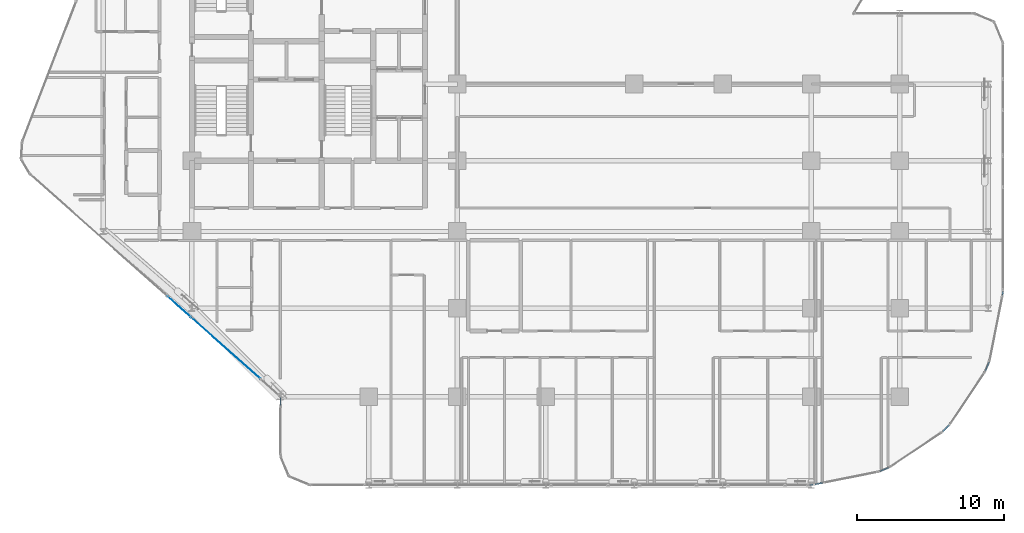
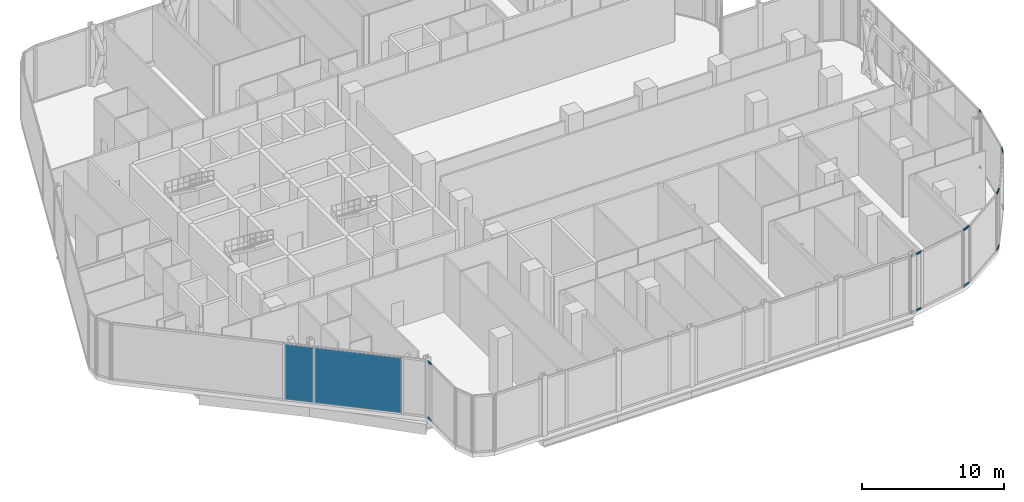
# One storey, part 21 of 36: 14 members, 2 plates, 9 elements without a shape of their own.
"""IFC4 building model written with IfcOpenShell, lengths in metres."""

import ifcopenshell
import ifcopenshell.guid

model = None  # the IFC model being written
_history = None  # IfcOwnerHistory: only IFC2X3 demands one
_inside = {}  # id of a spatial element -> (the spatial element, [elements in it])
_under = {}  # id of a project, library or spatial element -> (it, [spatial elements below it])
_declared = {}  # id of a project -> (the project, [libraries it declares])
_typed = {}  # id of a type object -> (the type object, [elements of that type])
_made_of = {}  # id of a material, layer set ... -> (it, [elements and type objects made of it])


def new_model(schema):
    """Start an empty IFC model of exactly this schema.

    Asked for "IFC4X3", IfcOpenShell would pick the latest addendum, in which some entities
    have other attributes; the version numbers below select the first issue.
    IFC2X3 requires an IfcOwnerHistory on every rooted entity: one is made here for all.
    """
    global model, _history
    if schema == "IFC4X3":
        model = ifcopenshell.file(schema_version=(4, 3, 0, 0))
    else:
        model = ifcopenshell.file(schema=schema)
    _inside.clear()
    _under.clear()
    _declared.clear()
    _typed.clear()
    _made_of.clear()
    _history = None
    if model.schema == "IFC2X3":
        org = make("IfcOrganization", Name="unknown")
        user = make(
            "IfcPersonAndOrganization",
            ThePerson=make("IfcPerson", FamilyName="unknown"),
            TheOrganization=org,
        )
        app = make(
            "IfcApplication",
            ApplicationDeveloper=org,
            Version="unknown",
            ApplicationFullName="unknown",
            ApplicationIdentifier="unknown",
        )
        _history = make(
            "IfcOwnerHistory",
            OwningUser=user,
            OwningApplication=app,
            ChangeAction="ADDED",
            CreationDate=0,
        )
    return model


def make(cls, **values):
    """One entity of the class cls with the attributes given. An attribute that is None is left unset."""
    return model.create_entity(
        cls, **{name: value for name, value in values.items() if value is not None}
    )


def rooted(cls, **values):
    """An entity with a GlobalId (a new one), such as an element, a storey or a relation."""
    return make(cls, GlobalId=ifcopenshell.guid.new(), OwnerHistory=_history, **values)


def si_unit(unit_type, name, prefix=None):
    """IfcSIUnit, for example si_unit("LENGTHUNIT", "METRE", prefix="MILLI")."""
    return make("IfcSIUnit", UnitType=unit_type, Prefix=prefix, Name=name)


def assignment(units):
    """IfcUnitAssignment: the units of a project."""
    return None if units is None else make("IfcUnitAssignment", Units=units)


def point(xyz):
    """IfcCartesianPoint."""
    return None if xyz is None else make("IfcCartesianPoint", Coordinates=xyz)


def direction(xyz):
    """IfcDirection."""
    return None if xyz is None else make("IfcDirection", DirectionRatios=xyz)


def frame(location, z_axis=None, x_axis=None):
    """IfcAxis2Placement3D, a coordinate frame: its origin and axes. An axis left out is left unset."""
    return make(
        "IfcAxis2Placement3D",
        Location=point(location),
        Axis=direction(z_axis),
        RefDirection=direction(x_axis),
    )


def frame_2d(location, x_axis=None):
    """IfcAxis2Placement2D, a coordinate frame in the plane: its origin and x axis."""
    return make(
        "IfcAxis2Placement2D", Location=point(location), RefDirection=direction(x_axis)
    )


def origin():
    """The frame at (0, 0, 0) with its axes left unset."""
    return frame((0.0, 0.0, 0.0))


def origin_2d():
    """The frame at (0, 0) in the plane with its x axis left unset."""
    return frame_2d((0.0, 0.0))


def place(relative_to, where):
    """IfcLocalPlacement: puts the frame where relative to a parent placement (None: the world)."""
    return make(
        "IfcLocalPlacement", PlacementRelTo=relative_to, RelativePlacement=where
    )


def context(
    kind, dimensions, precision=None, world=None, true_north=None, identifier=None
):
    """IfcGeometricRepresentationContext, for example the 3D "Model" context."""
    return make(
        "IfcGeometricRepresentationContext",
        ContextIdentifier=identifier,
        ContextType=kind,
        CoordinateSpaceDimension=dimensions,
        Precision=precision,
        WorldCoordinateSystem=world,
        TrueNorth=true_north,
    )


def subcontext(parent, identifier, kind, view, scale=None):
    """IfcGeometricRepresentationSubContext, for example "Body" below "Model"."""
    return make(
        "IfcGeometricRepresentationSubContext",
        ContextIdentifier=identifier,
        ContextType=kind,
        ParentContext=parent,
        TargetScale=scale,
        TargetView=view,
    )


def project(units=None, contexts=None):
    """IfcProject with its units and contexts."""
    return rooted(
        "IfcProject",
        Name="project",
        RepresentationContexts=contexts,
        UnitsInContext=assignment(units),
    )


def spatial(cls, under=None, at=None, **own):
    """A site, building, storey or space (cls), placed at a placement, below another one or the project."""
    s = rooted(cls, ObjectPlacement=at, **own)
    if under is not None:
        _under.setdefault(under.id(), (under, []))[1].append(s)
    return s


def profile(cls, at=None, kind="AREA", **sizes):
    """A parametric profile (cls). Its sizes go by their IFC names, for example OverallWidth=200.0."""
    return make(cls, ProfileType=kind, Position=at, **sizes)


def rectangle(**sizes):
    """IfcRectangleProfileDef."""
    return profile("IfcRectangleProfileDef", **sizes)


def hollow_rectangle(**sizes):
    """IfcRectangleHollowProfileDef."""
    return profile("IfcRectangleHollowProfileDef", **sizes)


def extrude(swept, where, along, depth):
    """IfcExtrudedAreaSolid: the profile swept, set in the frame where, extruded along a direction by depth."""
    return make(
        "IfcExtrudedAreaSolid",
        SweptArea=swept,
        Position=where,
        ExtrudedDirection=direction(along),
        Depth=depth,
    )


def shape(context_of_items, identifier, shape_type, items):
    """IfcShapeRepresentation: the items that make up one representation, for example the "Body"."""
    return make(
        "IfcShapeRepresentation",
        ContextOfItems=context_of_items,
        RepresentationIdentifier=identifier,
        RepresentationType=shape_type,
        Items=items,
    )


def material(Name=None, Category=None):
    """IfcMaterial."""
    return make("IfcMaterial", Name=Name, Category=Category)


def layer(
    of_material, thickness, ventilated=None, Name=None, Category=None, Priority=None
):
    """IfcMaterialLayer: one layer of a wall or slab, of a material (None: an air gap)."""
    return make(
        "IfcMaterialLayer",
        Material=of_material,
        LayerThickness=thickness,
        IsVentilated=ventilated,
        Name=Name,
        Category=Category,
        Priority=Priority,
    )


def layer_set(layers, Name=None):
    """IfcMaterialLayerSet."""
    return make("IfcMaterialLayerSet", MaterialLayers=layers, LayerSetName=Name)


def material_profile(
    of_material, cross_section, Name=None, Category=None, Priority=None
):
    """IfcMaterialProfile: a cross section and its material."""
    return make(
        "IfcMaterialProfile",
        Name=Name,
        Material=of_material,
        Profile=cross_section,
        Priority=Priority,
        Category=Category,
    )


def profile_set(profiles, Name=None, composite=None):
    """IfcMaterialProfileSet."""
    return make(
        "IfcMaterialProfileSet",
        Name=Name,
        MaterialProfiles=profiles,
        CompositeProfile=composite,
    )


def made_of(thing, what):
    """Note that an element or type object is made of a material, layer set ...; save() writes the relation."""
    if what is not None:
        _made_of.setdefault(what.id(), (what, []))[1].append(thing)
    return thing


def type_object(cls, material=None, **own):
    """A type object (cls), such as IfcWallType, which elements share."""
    return made_of(rooted(cls, **own), material)


def element(
    cls,
    number,
    at=None,
    inside=None,
    cuts=None,
    type_object=None,
    material=None,
    context=None,
    identifier="Body",
    shape_type=None,
    held_by="IfcProductDefinitionShape",
    body=None,
    shapes=None,
    **own,
):
    """One element of the class cls, such as IfcWall. Its Tag is "e" and its number.

    at: its placement. inside: the storey or other place that contains it. cuts: it is an
    opening in that element (IfcRelVoidsElement). A single representation is given by context,
    identifier, shape_type and body (its items); several are given by shapes. held_by: the class
    of the entity that holds the representations. save() writes the other relations.
    """
    e = rooted(cls, Tag="e%d" % number, ObjectPlacement=at, **own)
    if body is not None:
        shapes = [shape(context, identifier, shape_type, body)]
    if shapes is not None:
        e.Representation = make(held_by, Representations=shapes)
    if inside is not None:
        _inside.setdefault(inside.id(), (inside, []))[1].append(e)
    if cuts is not None:
        rooted(
            "IfcRelVoidsElement", RelatingBuildingElement=cuts, RelatedOpeningElement=e
        )
    if type_object is not None:
        _typed.setdefault(type_object.id(), (type_object, []))[1].append(e)
    return made_of(e, material)


def aggregate(whole, parts):
    """IfcRelAggregates: a whole, such as a stair, and the parts it consists of."""
    return rooted("IfcRelAggregates", RelatingObject=whole, RelatedObjects=parts)


def save(model, path):
    """Write the relations noted so far, then the file.

    IfcRelAggregates (storeys below a building ...), IfcRelContainedInSpatialStructure (elements
    in a storey), IfcRelDefinesByType, IfcRelAssociatesMaterial and IfcRelDeclares: one each for
    every whole, place, type object, material and project.
    """
    for whole, parts in _under.values():
        aggregate(whole, parts)
    for where, things in _inside.values():
        rooted(
            "IfcRelContainedInSpatialStructure",
            RelatedElements=things,
            RelatingStructure=where,
        )
    for kind, things in _typed.values():
        rooted("IfcRelDefinesByType", RelatedObjects=things, RelatingType=kind)
    for what, things in _made_of.values():
        rooted("IfcRelAssociatesMaterial", RelatedObjects=things, RelatingMaterial=what)
    for by, libraries in _declared.values():
        rooted("IfcRelDeclares", RelatingContext=by, RelatedDefinitions=libraries)
    model.write(path)


model = new_model("IFC4")

# Units and contexts
model_context = context("Model", 3, precision=1e-05, world=origin(), true_north=direction((0.0, 1.0)))
body_context = subcontext(model_context, "Body", "Model", "MODEL_VIEW")
ifc_project = project(units=[si_unit("LENGTHUNIT", "METRE"), si_unit("AREAUNIT", "SQUARE_METRE"), si_unit("VOLUMEUNIT", "CUBIC_METRE"), si_unit("PLANEANGLEUNIT", "RADIAN"), si_unit("MASSUNIT", "GRAM", prefix="KILO")], contexts=[model_context])

# Site, building, storey
site_placement = place(None, origin())
site = spatial("IfcSite", under=ifc_project, at=site_placement, CompositionType="ELEMENT")
building_placement = place(site_placement, origin())
building = spatial("IfcBuilding", under=site, at=building_placement, Name="Keshet Zoharim Tower", CompositionType="ELEMENT")
storey_placement = place(building_placement, frame((0.0, 0.0, 81.199951171875)))
storey = spatial("IfcBuildingStorey", under=building, at=storey_placement, Name="L19", CompositionType="ELEMENT", Elevation=81.199951171875)

# Curtain wall, members
ifc_material_1 = material(Name="Aluminium 6063-T6", Category="aluminium")
ifc_layer_1 = layer(ifc_material_1, 0.169921875)
ifc_layer_set_1 = layer_set([ifc_layer_1], Name="Aluminium 6063-T6")
curtain_wall_type_1 = type_object("IfcCurtainWallType", Name="CW-SYS-02", PredefinedType="NOTDEFINED", material=ifc_layer_set_1)
curtain_wall_1_placement = place(storey_placement, origin())
curtain_wall_1 = element("IfcCurtainWall", 1, at=curtain_wall_1_placement, inside=storey, type_object=curtain_wall_type_1, Name="L19 Unitised Curtain Wall 17", PredefinedType="NOTDEFINED")
ifc_material_profile = material_profile(ifc_material_1, hollow_rectangle(XDim=0.0849609375, YDim=0.159912109375, WallThickness=0.00439453125, at=origin_2d()), Name="TRN-85x160")
ifc_profile_set = profile_set([ifc_material_profile], Name="Aluminium 6063-T6")
member_type = type_object("IfcMemberType", Name="CWT-T16", PredefinedType="USERDEFINED", material=ifc_profile_set)
member_1_placement = place(storey_placement, frame((69.9931640625, 13.827392578125, 0.03515625), z_axis=(-0.096912647607, -0.995292890929, 0.0), x_axis=(0.995292890929, -0.096912647607, 0.0)))
member_1 = element("IfcMember", 2, at=member_1_placement, type_object=member_type, Name="CW-02 transom 1.1", ObjectType="TRANSOM", PredefinedType="USERDEFINED", context=body_context, shape_type="SweptSolid", body=[
    extrude(hollow_rectangle(XDim=0.0849609375, YDim=0.159912109375, WallThickness=0.00439453125, at=origin_2d()), origin(), (0.0, 0.0, 1.0), 0.251953125),
])
member_2_placement = place(storey_placement, frame((69.9931640625, 13.827392578125, 4.85009765625), z_axis=(-0.096912647607, -0.995292890929, 0.0), x_axis=(0.995292890929, -0.096912647607, 0.0)))
member_2 = element("IfcMember", 3, at=member_2_placement, type_object=member_type, Name="CW-02 transom 1.2", ObjectType="TRANSOM", PredefinedType="USERDEFINED", context=body_context, shape_type="SweptSolid", body=[
    extrude(hollow_rectangle(XDim=0.0849609375, YDim=0.159912109375, WallThickness=0.00439453125, at=origin_2d()), origin(), (0.0, 0.0, 1.0), 0.251953125),
])
aggregate(curtain_wall_1, [member_1, member_2])

ifc_layer_2 = layer(ifc_material_1, 0.179931640625)
ifc_layer_set_2 = layer_set([ifc_layer_2], Name="Aluminium 6063-T6")
curtain_wall_type_2 = type_object("IfcCurtainWallType", Name="CW-SYS-01", PredefinedType="NOTDEFINED", material=ifc_layer_set_2)
curtain_wall_2_placement = place(storey_placement, origin())
curtain_wall_2 = element("IfcCurtainWall", 4, at=curtain_wall_2_placement, inside=storey, type_object=curtain_wall_type_2, Name="L19 Unitised Curtain Wall 19", PredefinedType="NOTDEFINED")
member_3_placement = place(storey_placement, frame((69.061279296875, 9.05029296875, 0.03515625), z_axis=(-0.383126096215, -0.923696050874, 0.0), x_axis=(0.923696050874, -0.383126096215, 0.0)))
member_3 = element("IfcMember", 5, at=member_3_placement, type_object=member_type, Name="CW-01 transom 1.1", ObjectType="TRANSOM", PredefinedType="USERDEFINED", context=body_context, shape_type="SweptSolid", body=[
    extrude(hollow_rectangle(XDim=0.0849609375, YDim=0.159912109375, WallThickness=0.00439453125, at=origin_2d()), origin(), (0.0, 0.0, 1.0), 0.640380859375),
])
member_4_placement = place(storey_placement, frame((69.061279296875, 9.05029296875, 4.85009765625), z_axis=(-0.383126096215, -0.923696050874, 0.0), x_axis=(0.923696050874, -0.383126096215, 0.0)))
member_4 = element("IfcMember", 6, at=member_4_placement, type_object=member_type, Name="CW-01 transom 1.2", ObjectType="TRANSOM", PredefinedType="USERDEFINED", context=body_context, shape_type="SweptSolid", body=[
    extrude(hollow_rectangle(XDim=0.0849609375, YDim=0.159912109375, WallThickness=0.00439453125, at=origin_2d()), origin(), (0.0, 0.0, 1.0), 0.640380859375),
])
aggregate(curtain_wall_2, [member_3, member_4])

curtain_wall_3_placement = place(storey_placement, origin())
curtain_wall_3 = element("IfcCurtainWall", 7, at=curtain_wall_3_placement, inside=storey, type_object=curtain_wall_type_2, Name="L19 Unitised Curtain Wall 21", PredefinedType="NOTDEFINED")
member_5_placement = place(storey_placement, frame((66.363525390625, 4.78857421875, 0.03515625), z_axis=(-0.707106781187, -0.707106781187, 0.0), x_axis=(0.707106781187, -0.707106781187, 0.0)))
member_5 = element("IfcMember", 8, at=member_5_placement, type_object=member_type, Name="CW-01 transom 1.1", ObjectType="TRANSOM", PredefinedType="USERDEFINED", context=body_context, shape_type="SweptSolid", body=[
    extrude(hollow_rectangle(XDim=0.0849609375, YDim=0.159912109375, WallThickness=0.00439453125, at=origin_2d()), origin(), (0.0, 0.0, 1.0), 0.639404296875),
])
member_6_placement = place(storey_placement, frame((66.363525390625, 4.78857421875, 4.85009765625), z_axis=(-0.707106781187, -0.707106781187, 0.0), x_axis=(0.707106781187, -0.707106781187, 0.0)))
member_6 = element("IfcMember", 9, at=member_6_placement, type_object=member_type, Name="CW-01 transom 1.2", ObjectType="TRANSOM", PredefinedType="USERDEFINED", context=body_context, shape_type="SweptSolid", body=[
    extrude(hollow_rectangle(XDim=0.0849609375, YDim=0.159912109375, WallThickness=0.00439453125, at=origin_2d()), origin(), (0.0, 0.0, 1.0), 0.639404296875),
])
aggregate(curtain_wall_3, [member_5, member_6])

curtain_wall_4_placement = place(storey_placement, origin())
curtain_wall_4 = element("IfcCurtainWall", 10, at=curtain_wall_4_placement, inside=storey, type_object=curtain_wall_type_2, Name="L19 Unitised Curtain Wall 23", PredefinedType="NOTDEFINED")
member_7_placement = place(storey_placement, frame((62.241455078125, 1.88427734375, 0.03515625), z_axis=(-0.923751978938, -0.382991228891, 0.0), x_axis=(0.382991228891, -0.923751978938, 0.0)))
member_7 = element("IfcMember", 11, at=member_7_placement, type_object=member_type, Name="CW-01 transom 1.1", ObjectType="TRANSOM", PredefinedType="USERDEFINED", context=body_context, shape_type="SweptSolid", body=[
    extrude(hollow_rectangle(XDim=0.0849609375, YDim=0.159912109375, WallThickness=0.00439453125, at=origin_2d()), origin(), (0.0, 0.0, 1.0), 0.640625),
])
member_8_placement = place(storey_placement, frame((62.241455078125, 1.88427734375, 4.85009765625), z_axis=(-0.923751978938, -0.382991228891, 0.0), x_axis=(0.382991228891, -0.923751978938, 0.0)))
member_8 = element("IfcMember", 12, at=member_8_placement, type_object=member_type, Name="CW-01 transom 1.2", ObjectType="TRANSOM", PredefinedType="USERDEFINED", context=body_context, shape_type="SweptSolid", body=[
    extrude(hollow_rectangle(XDim=0.0849609375, YDim=0.159912109375, WallThickness=0.00439453125, at=origin_2d()), origin(), (0.0, 0.0, 1.0), 0.640625),
])
aggregate(curtain_wall_4, [member_7, member_8])

curtain_wall_5_placement = place(storey_placement, origin())
curtain_wall_5 = element("IfcCurtainWall", 13, at=curtain_wall_5_placement, inside=storey, type_object=curtain_wall_type_2, Name="L19 Unitised Curtain Wall 24 Part 2", PredefinedType="NOTDEFINED")
member_9_placement = place(storey_placement, frame((57.781494140625, 0.85498046875, 0.03515625), z_axis=(-0.98082795987, -0.194875635052, 0.0), x_axis=(0.194875635052, -0.98082795987, 0.0)))
member_9 = element("IfcMember", 14, at=member_9_placement, type_object=member_type, Name="CW-01 transom 1.1", ObjectType="TRANSOM", PredefinedType="USERDEFINED", context=body_context, shape_type="SweptSolid", body=[
    extrude(hollow_rectangle(XDim=0.0849609375, YDim=0.159912109375, WallThickness=0.00439453125, at=origin_2d()), origin(), (0.0, 0.0, 1.0), 0.530029296875),
])
member_10_placement = place(storey_placement, frame((57.781494140625, 0.85498046875, 4.85009765625), z_axis=(-0.98082795987, -0.194875635052, 0.0), x_axis=(0.194875635052, -0.98082795987, 0.0)))
member_10 = element("IfcMember", 15, at=member_10_placement, type_object=member_type, Name="CW-01 transom 1.2", ObjectType="TRANSOM", PredefinedType="USERDEFINED", context=body_context, shape_type="SweptSolid", body=[
    extrude(hollow_rectangle(XDim=0.0849609375, YDim=0.159912109375, WallThickness=0.00439453125, at=origin_2d()), origin(), (0.0, 0.0, 1.0), 0.530029296875),
])
aggregate(curtain_wall_5, [member_9, member_10])

curtain_wall_6_placement = place(storey_placement, origin())
curtain_wall_6 = element("IfcCurtainWall", 16, at=curtain_wall_6_placement, inside=storey, type_object=curtain_wall_type_2, Name="L19 Unitised Curtain Wall 25", PredefinedType="NOTDEFINED")
member_11_placement = place(storey_placement, frame((57.123291015625, 0.731201171875, 0.03515625), z_axis=(-0.995292890929, -0.096912647607, 0.0), x_axis=(0.096912647607, -0.995292890929, 0.0)))
member_11 = element("IfcMember", 17, at=member_11_placement, type_object=member_type, Name="CW-01 transom 1.1", ObjectType="TRANSOM", PredefinedType="USERDEFINED", context=body_context, shape_type="SweptSolid", body=[
    extrude(hollow_rectangle(XDim=0.0849609375, YDim=0.159912109375, WallThickness=0.00439453125, at=origin_2d()), origin(), (0.0, 0.0, 1.0), 0.251953125),
])
member_12_placement = place(storey_placement, frame((57.123291015625, 0.731201171875, 4.85009765625), z_axis=(-0.995292890929, -0.096912647607, 0.0), x_axis=(0.096912647607, -0.995292890929, 0.0)))
member_12 = element("IfcMember", 18, at=member_12_placement, type_object=member_type, Name="CW-01 transom 1.2", ObjectType="TRANSOM", PredefinedType="USERDEFINED", context=body_context, shape_type="SweptSolid", body=[
    extrude(hollow_rectangle(XDim=0.0849609375, YDim=0.159912109375, WallThickness=0.00439453125, at=origin_2d()), origin(), (0.0, 0.0, 1.0), 0.251953125),
])
aggregate(curtain_wall_6, [member_11, member_12])

curtain_wall_7_placement = place(storey_placement, origin())
curtain_wall_7 = element("IfcCurtainWall", 19, at=curtain_wall_7_placement, inside=storey, type_object=curtain_wall_type_2, Name="L19 Unitised Curtain Wall 29 Part 2", PredefinedType="NOTDEFINED")
member_13_placement = place(storey_placement, frame((21.0, 6.10009765625, 0.03515625), z_axis=(0.0, 1.0, 0.0), x_axis=(-1.0, 0.0, 0.0)))
member_13 = element("IfcMember", 20, at=member_13_placement, type_object=member_type, Name="CW-01 transom 1.1", ObjectType="TRANSOM", PredefinedType="USERDEFINED", context=body_context, shape_type="SweptSolid", body=[
    extrude(hollow_rectangle(XDim=0.0849609375, YDim=0.159912109375, WallThickness=0.00439453125, at=origin_2d()), origin(), (0.0, 0.0, 1.0), 0.52978515625),
])
member_14_placement = place(storey_placement, frame((21.0, 6.10009765625, 4.85009765625), z_axis=(0.0, 1.0, 0.0), x_axis=(-1.0, 0.0, 0.0)))
member_14 = element("IfcMember", 21, at=member_14_placement, type_object=member_type, Name="CW-01 transom 1.2", ObjectType="TRANSOM", PredefinedType="USERDEFINED", context=body_context, shape_type="SweptSolid", body=[
    extrude(hollow_rectangle(XDim=0.0849609375, YDim=0.159912109375, WallThickness=0.00439453125, at=origin_2d()), origin(), (0.0, 0.0, 1.0), 0.52978515625),
])
aggregate(curtain_wall_7, [member_13, member_14])

# Curtain wall, plate
curtain_wall_8_placement = place(storey_placement, origin())
curtain_wall_8 = element("IfcCurtainWall", 22, at=curtain_wall_8_placement, inside=storey, type_object=curtain_wall_type_2, Name="L19 Unitised Curtain Wall 01 Part 2", PredefinedType="NOTDEFINED")
ifc_material_2 = material(Name="Insulated Low-E Clear Glass", Category="glass")
ifc_layer_3 = layer(ifc_material_2, 0.035888671875)
ifc_layer_set_3 = layer_set([ifc_layer_3], Name="Insulated Low-E Clear Glass")
plate_type_1 = type_object("IfcPlateType", Name="CWP-01", PredefinedType="CURTAIN_PANEL", material=ifc_layer_set_3)
plate_1_placement = place(storey_placement, frame((17.30078125, 9.98828125, 0.070068359375), z_axis=(0.0, 0.0, 1.0), x_axis=(-0.747411931067, 0.664360899887, 0.0)))
plate_1 = element("IfcPlate", 23, at=plate_1_placement, type_object=plate_type_1, Name="CW-01 panel 1.1", PredefinedType="CURTAIN_PANEL", context=body_context, shape_type="SweptSolid", body=[
    extrude(rectangle(XDim=6.265869140625, YDim=0.035888671875, at=origin_2d()), origin(), (0.0, 0.0, 1.0), 4.7451171875),
])
aggregate(curtain_wall_8, [plate_1])

curtain_wall_9_placement = place(storey_placement, origin())
curtain_wall_9 = element("IfcCurtainWall", 24, at=curtain_wall_9_placement, inside=storey, type_object=curtain_wall_type_2, Name="L19 Unitised Curtain Wall 01 Part 3", PredefinedType="NOTDEFINED")
ifc_material_3 = material(Name="Insulated Aluminium Spandrel Panel", Category="aluminium")
ifc_layer_4 = layer(ifc_material_3, 0.035888671875)
ifc_layer_set_4 = layer_set([ifc_layer_4], Name="Insulated Aluminium Spandrel Panel")
plate_type_2 = type_object("IfcPlateType", Name="CWP-04", PredefinedType="CURTAIN_PANEL", material=ifc_layer_set_4)
plate_2_placement = place(storey_placement, frame((14.134521484375, 12.802734375, 0.070068359375), z_axis=(0.0, 0.0, 1.0), x_axis=(-0.747419646555, 0.664352219793, 0.0)))
plate_2 = element("IfcPlate", 25, at=plate_2_placement, type_object=plate_type_2, Name="CW-01 spandrel panel 1.1", PredefinedType="CURTAIN_PANEL", context=body_context, shape_type="SweptSolid", body=[
    extrude(rectangle(XDim=2.06689453125, YDim=0.035888671875, at=origin_2d()), origin(), (0.0, 0.0, 1.0), 4.7451171875),
])
aggregate(curtain_wall_9, [plate_2])

save(model, "model.ifc")
